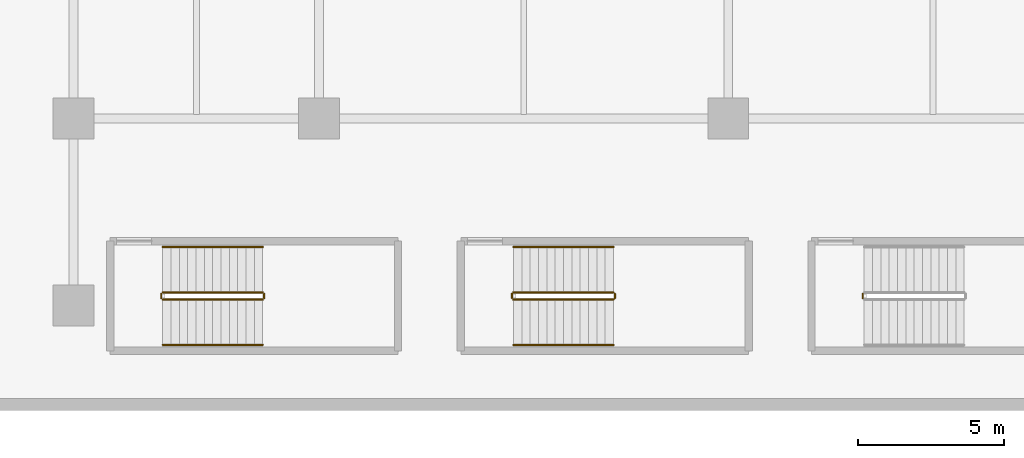
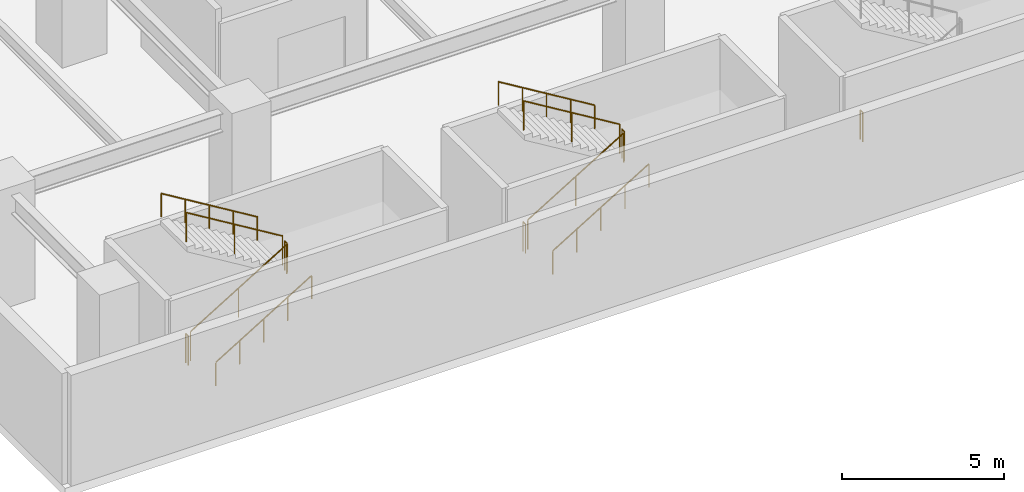
# One storey, part 23 of 32: 13 railings.
"""IFC4 building model written with IfcOpenShell, lengths in metres."""

from ifc_helpers import new_model, si_unit, direction, frame, origin, origin_2d, place, context, subcontext, project, spatial, circle, extrude, material, type_object, element, save


model = new_model("IFC4")

# Units and contexts
model_context = context("Model", 3, precision=1e-05, world=origin(), true_north=direction((0.0, 1.0)))
body_context = subcontext(model_context, "Body", "Model", "MODEL_VIEW")
ifc_project = project(units=[si_unit("LENGTHUNIT", "METRE"), si_unit("AREAUNIT", "SQUARE_METRE"), si_unit("VOLUMEUNIT", "CUBIC_METRE"), si_unit("PLANEANGLEUNIT", "RADIAN"), si_unit("MASSUNIT", "GRAM", prefix="KILO")], contexts=[model_context])

# Site, building, storey
site_placement = place(None, origin())
site = spatial("IfcSite", under=ifc_project, at=site_placement, CompositionType="ELEMENT")
building_placement = place(site_placement, origin())
building = spatial("IfcBuilding", under=site, at=building_placement, Name="Narakoshi Arena Tower", CompositionType="ELEMENT")
storey_placement = place(building_placement, frame((0.0, 0.0, 4.5)))
storey = spatial("IfcBuildingStorey", under=building, at=storey_placement, Name="L01", CompositionType="ELEMENT", Elevation=4.5)

# Railings
ifc_material_1 = material(Name="Clear low-iron laminated structural glass", Category="glass")
railing_type_1 = type_object("IfcRailingType", Name="RL-BAL-1100", PredefinedType="BALUSTRADE", material=ifc_material_1)
railing_1_placement = place(storey_placement, frame((6.64990234375, 3.800048828125, 0.173095703125)))
element("IfcRailing", 1, at=railing_1_placement, inside=storey, type_object=railing_type_1, Name="L01 AST1 stair guard 1", PredefinedType="BALUSTRADE", context=body_context, shape_type="SweptSolid", body=[
    extrude(circle(Radius=0.02392578125, at=origin_2d()), frame((0.0, 0.0, 1.09619140625), z_axis=(0.854745945586, 0.0, 0.519046595696), x_axis=(0.0, 1.0, 0.0)), (0.0, 0.0, 1.0), 4.00146484375),
    extrude(circle(Radius=0.02099609375, at=origin_2d()), origin(), (0.0, 0.0, 1.0), 1.072021484375),
    extrude(circle(Radius=0.02099609375, at=origin_2d()), frame((1.7099609375, 0.0, 1.03857421875)), (0.0, 0.0, 1.0), 1.072021484375),
    extrude(circle(Radius=0.02099609375, at=origin_2d()), frame((3.420166015625, 0.0, 2.076904296875)), (0.0, 0.0, 1.0), 1.072021484375),
])
railing_2_placement = place(storey_placement, frame((10.1201171875, 3.85009765625, 2.25)))
element("IfcRailing", 2, at=railing_2_placement, inside=storey, type_object=railing_type_1, Name="L01 AST1 stair guard 2", PredefinedType="BALUSTRADE", context=body_context, shape_type="SweptSolid", body=[
    extrude(circle(Radius=0.02392578125, at=origin_2d()), frame((0.0, 0.0, 1.09619140625), z_axis=(0.0, 1.0, 0.0), x_axis=(-1.0, 0.0, 0.0)), (0.0, 0.0, 1.0), 0.14990234375),
    extrude(circle(Radius=0.02099609375, at=origin_2d()), origin(), (0.0, 0.0, 1.0), 1.072021484375),
    extrude(circle(Radius=0.02099609375, at=origin_2d()), frame((0.0, 0.14990234375, 0.0)), (0.0, 0.0, 1.0), 1.072021484375),
])
railing_3_placement = place(storey_placement, frame((10.070068359375, 4.050048828125, 2.423095703125)))
element("IfcRailing", 3, at=railing_3_placement, inside=storey, type_object=railing_type_1, Name="L01 AST1 stair guard 3", PredefinedType="BALUSTRADE", context=body_context, shape_type="SweptSolid", body=[
    extrude(circle(Radius=0.02392578125, at=origin_2d()), frame((0.0, 0.0, 1.09619140625), z_axis=(-0.854745945586, 0.0, 0.519046595696), x_axis=(0.0, -1.0, 0.0)), (0.0, 0.0, 1.0), 4.00146484375),
    extrude(circle(Radius=0.02099609375, at=origin_2d()), origin(), (0.0, 0.0, 1.0), 1.072021484375),
    extrude(circle(Radius=0.02099609375, at=origin_2d()), frame((-1.7099609375, 0.0, 1.03857421875)), (0.0, 0.0, 1.0), 1.072021484375),
    extrude(circle(Radius=0.02099609375, at=origin_2d()), frame((-3.420166015625, 0.0, 2.076904296875)), (0.0, 0.0, 1.0), 1.072021484375),
])
railing_4_placement = place(storey_placement, frame((6.60009765625, 3.85009765625, 0.0)))
element("IfcRailing", 4, at=railing_4_placement, inside=storey, type_object=railing_type_1, Name="L01 AST1 stair guard 4", PredefinedType="BALUSTRADE", context=body_context, shape_type="SweptSolid", body=[
    extrude(circle(Radius=0.02392578125, at=origin_2d()), frame((0.0, 0.0, 1.09619140625), z_axis=(0.0, 1.0, 0.0), x_axis=(-1.0, 0.0, 0.0)), (0.0, 0.0, 1.0), 0.14990234375),
    extrude(circle(Radius=0.02099609375, at=origin_2d()), origin(), (0.0, 0.0, 1.0), 1.072021484375),
    extrude(circle(Radius=0.02099609375, at=origin_2d()), frame((0.0, 0.14990234375, 0.0)), (0.0, 0.0, 1.0), 1.072021484375),
])
railing_5_placement = place(storey_placement, frame((18.64990234375, 3.800048828125, 0.173095703125)))
element("IfcRailing", 5, at=railing_5_placement, inside=storey, type_object=railing_type_1, Name="L01 AST2 stair guard 1", PredefinedType="BALUSTRADE", context=body_context, shape_type="SweptSolid", body=[
    extrude(circle(Radius=0.02392578125, at=origin_2d()), frame((0.0, 0.0, 1.09619140625), z_axis=(0.854745945586, 0.0, 0.519046595696), x_axis=(0.0, 1.0, 0.0)), (0.0, 0.0, 1.0), 4.00146484375),
    extrude(circle(Radius=0.02099609375, at=origin_2d()), origin(), (0.0, 0.0, 1.0), 1.072021484375),
    extrude(circle(Radius=0.02099609375, at=origin_2d()), frame((1.7099609375, 0.0, 1.03857421875)), (0.0, 0.0, 1.0), 1.072021484375),
    extrude(circle(Radius=0.02099609375, at=origin_2d()), frame((3.420166015625, 0.0, 2.076904296875)), (0.0, 0.0, 1.0), 1.072021484375),
])
railing_6_placement = place(storey_placement, frame((22.1201171875, 3.85009765625, 2.25)))
element("IfcRailing", 6, at=railing_6_placement, inside=storey, type_object=railing_type_1, Name="L01 AST2 stair guard 2", PredefinedType="BALUSTRADE", context=body_context, shape_type="SweptSolid", body=[
    extrude(circle(Radius=0.02392578125, at=origin_2d()), frame((0.0, 0.0, 1.09619140625), z_axis=(0.0, 1.0, 0.0), x_axis=(-1.0, 0.0, 0.0)), (0.0, 0.0, 1.0), 0.14990234375),
    extrude(circle(Radius=0.02099609375, at=origin_2d()), origin(), (0.0, 0.0, 1.0), 1.072021484375),
    extrude(circle(Radius=0.02099609375, at=origin_2d()), frame((0.0, 0.14990234375, 0.0)), (0.0, 0.0, 1.0), 1.072021484375),
])
railing_7_placement = place(storey_placement, frame((22.070068359375, 4.050048828125, 2.423095703125)))
element("IfcRailing", 7, at=railing_7_placement, inside=storey, type_object=railing_type_1, Name="L01 AST2 stair guard 3", PredefinedType="BALUSTRADE", context=body_context, shape_type="SweptSolid", body=[
    extrude(circle(Radius=0.02392578125, at=origin_2d()), frame((0.0, 0.0, 1.09619140625), z_axis=(-0.854745945586, 0.0, 0.519046595696), x_axis=(0.0, -1.0, 0.0)), (0.0, 0.0, 1.0), 4.00146484375),
    extrude(circle(Radius=0.02099609375, at=origin_2d()), origin(), (0.0, 0.0, 1.0), 1.072021484375),
    extrude(circle(Radius=0.02099609375, at=origin_2d()), frame((-1.7099609375, 0.0, 1.03857421875)), (0.0, 0.0, 1.0), 1.072021484375),
    extrude(circle(Radius=0.02099609375, at=origin_2d()), frame((-3.420166015625, 0.0, 2.076904296875)), (0.0, 0.0, 1.0), 1.072021484375),
])
for number, where, name in (
    (8, (18.60009765625, 3.85009765625, 0.0), "L01 AST2 stair guard 4"),
    (9, (30.60009765625, 3.85009765625, 0.0), "L01 AST3 stair guard 4"),
):
    element("IfcRailing", number, at=place(storey_placement, frame(where)), inside=storey, type_object=railing_type_1, Name=name, PredefinedType="BALUSTRADE", context=body_context, shape_type="SweptSolid", body=[
        extrude(circle(Radius=0.02392578125, at=origin_2d()), frame((0.0, 0.0, 1.09619140625), z_axis=(0.0, 1.0, 0.0), x_axis=(-1.0, 0.0, 0.0)), (0.0, 0.0, 1.0), 0.14990234375),
        extrude(circle(Radius=0.02099609375, at=origin_2d()), origin(), (0.0, 0.0, 1.0), 1.072021484375),
        extrude(circle(Radius=0.02099609375, at=origin_2d()), frame((0.0, 0.14990234375, 0.0)), (0.0, 0.0, 1.0), 1.072021484375),
    ])
ifc_material_2 = material(Name="Brushed bronze stainless steel", Category="steel")
railing_type_2 = type_object("IfcRailingType", Name="RL-HND-900", PredefinedType="HANDRAIL", material=ifc_material_2)
railing_8_placement = place(storey_placement, frame((6.64990234375, 2.25, 0.173095703125)))
element("IfcRailing", 10, at=railing_8_placement, inside=storey, type_object=railing_type_2, Name="L01 AST1 stair handrail 1", PredefinedType="HANDRAIL", context=body_context, shape_type="SweptSolid", body=[
    extrude(circle(Radius=0.02392578125, at=origin_2d()), frame((0.0, 0.0, 0.8759765625), z_axis=(0.854745945586, 0.0, 0.519046595696), x_axis=(0.0, 1.0, 0.0)), (0.0, 0.0, 1.0), 4.00146484375),
    extrude(circle(Radius=0.02099609375, at=origin_2d()), origin(), (0.0, 0.0, 1.0), 0.851806640625),
    extrude(circle(Radius=0.02099609375, at=origin_2d()), frame((0.85498046875, 0.0, 0.519287109375)), (0.0, 0.0, 1.0), 0.851806640625),
    extrude(circle(Radius=0.02099609375, at=origin_2d()), frame((1.7099609375, 0.0, 1.03857421875)), (0.0, 0.0, 1.0), 0.851806640625),
    extrude(circle(Radius=0.02099609375, at=origin_2d()), frame((2.565185546875, 0.0, 1.5576171875)), (0.0, 0.0, 1.0), 0.851806640625),
    extrude(circle(Radius=0.02099609375, at=origin_2d()), frame((3.420166015625, 0.0, 2.076904296875)), (0.0, 0.0, 1.0), 0.851806640625),
])
railing_9_placement = place(storey_placement, frame((10.070068359375, 5.60009765625, 2.423095703125)))
element("IfcRailing", 11, at=railing_9_placement, inside=storey, type_object=railing_type_2, Name="L01 AST1 stair handrail 2", PredefinedType="HANDRAIL", context=body_context, shape_type="SweptSolid", body=[
    extrude(circle(Radius=0.02392578125, at=origin_2d()), frame((0.0, 0.0, 0.8759765625), z_axis=(-0.854745945586, 0.0, 0.519046595696), x_axis=(0.0, -1.0, 0.0)), (0.0, 0.0, 1.0), 4.00146484375),
    extrude(circle(Radius=0.02099609375, at=origin_2d()), origin(), (0.0, 0.0, 1.0), 0.851806640625),
    extrude(circle(Radius=0.02099609375, at=origin_2d()), frame((-0.85498046875, 0.0, 0.519287109375)), (0.0, 0.0, 1.0), 0.851806640625),
    extrude(circle(Radius=0.02099609375, at=origin_2d()), frame((-1.7099609375, 0.0, 1.03857421875)), (0.0, 0.0, 1.0), 0.851806640625),
    extrude(circle(Radius=0.02099609375, at=origin_2d()), frame((-2.565185546875, 0.0, 1.5576171875)), (0.0, 0.0, 1.0), 0.851806640625),
    extrude(circle(Radius=0.02099609375, at=origin_2d()), frame((-3.420166015625, 0.0, 2.076904296875)), (0.0, 0.0, 1.0), 0.851806640625),
])
railing_10_placement = place(storey_placement, frame((18.64990234375, 2.25, 0.173095703125)))
element("IfcRailing", 12, at=railing_10_placement, inside=storey, type_object=railing_type_2, Name="L01 AST2 stair handrail 1", PredefinedType="HANDRAIL", context=body_context, shape_type="SweptSolid", body=[
    extrude(circle(Radius=0.02392578125, at=origin_2d()), frame((0.0, 0.0, 0.8759765625), z_axis=(0.854745945586, 0.0, 0.519046595696), x_axis=(0.0, 1.0, 0.0)), (0.0, 0.0, 1.0), 4.00146484375),
    extrude(circle(Radius=0.02099609375, at=origin_2d()), origin(), (0.0, 0.0, 1.0), 0.851806640625),
    extrude(circle(Radius=0.02099609375, at=origin_2d()), frame((0.85498046875, 0.0, 0.519287109375)), (0.0, 0.0, 1.0), 0.851806640625),
    extrude(circle(Radius=0.02099609375, at=origin_2d()), frame((1.7099609375, 0.0, 1.03857421875)), (0.0, 0.0, 1.0), 0.851806640625),
    extrude(circle(Radius=0.02099609375, at=origin_2d()), frame((2.565185546875, 0.0, 1.5576171875)), (0.0, 0.0, 1.0), 0.851806640625),
    extrude(circle(Radius=0.02099609375, at=origin_2d()), frame((3.420166015625, 0.0, 2.076904296875)), (0.0, 0.0, 1.0), 0.851806640625),
])
railing_11_placement = place(storey_placement, frame((22.070068359375, 5.60009765625, 2.423095703125)))
element("IfcRailing", 13, at=railing_11_placement, inside=storey, type_object=railing_type_2, Name="L01 AST2 stair handrail 2", PredefinedType="HANDRAIL", context=body_context, shape_type="SweptSolid", body=[
    extrude(circle(Radius=0.02392578125, at=origin_2d()), frame((0.0, 0.0, 0.8759765625), z_axis=(-0.854745945586, 0.0, 0.519046595696), x_axis=(0.0, -1.0, 0.0)), (0.0, 0.0, 1.0), 4.00146484375),
    extrude(circle(Radius=0.02099609375, at=origin_2d()), origin(), (0.0, 0.0, 1.0), 0.851806640625),
    extrude(circle(Radius=0.02099609375, at=origin_2d()), frame((-0.85498046875, 0.0, 0.519287109375)), (0.0, 0.0, 1.0), 0.851806640625),
    extrude(circle(Radius=0.02099609375, at=origin_2d()), frame((-1.7099609375, 0.0, 1.03857421875)), (0.0, 0.0, 1.0), 0.851806640625),
    extrude(circle(Radius=0.02099609375, at=origin_2d()), frame((-2.565185546875, 0.0, 1.5576171875)), (0.0, 0.0, 1.0), 0.851806640625),
    extrude(circle(Radius=0.02099609375, at=origin_2d()), frame((-3.420166015625, 0.0, 2.076904296875)), (0.0, 0.0, 1.0), 0.851806640625),
])

save(model, "model.ifc")
